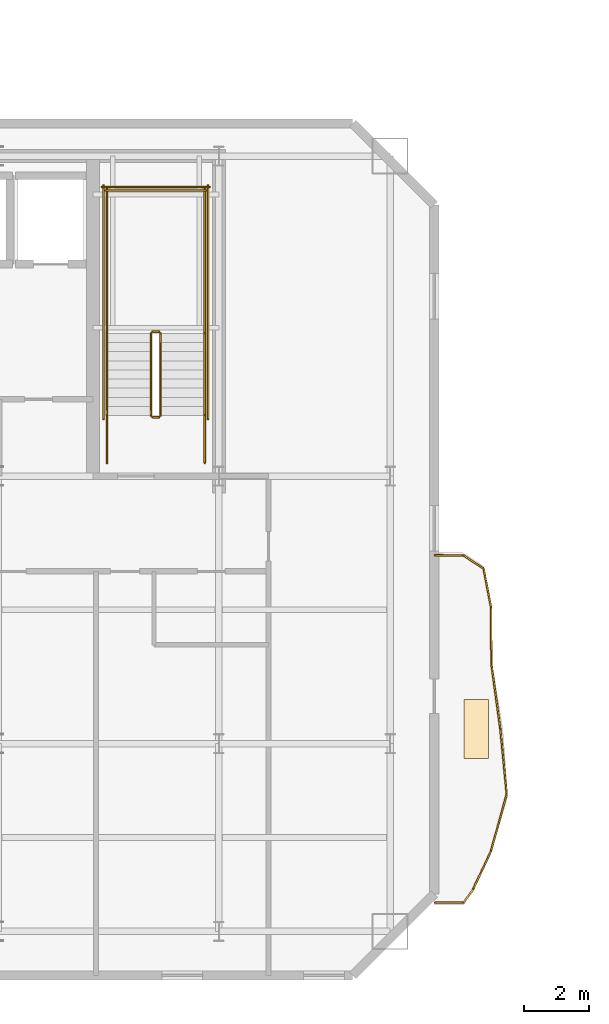
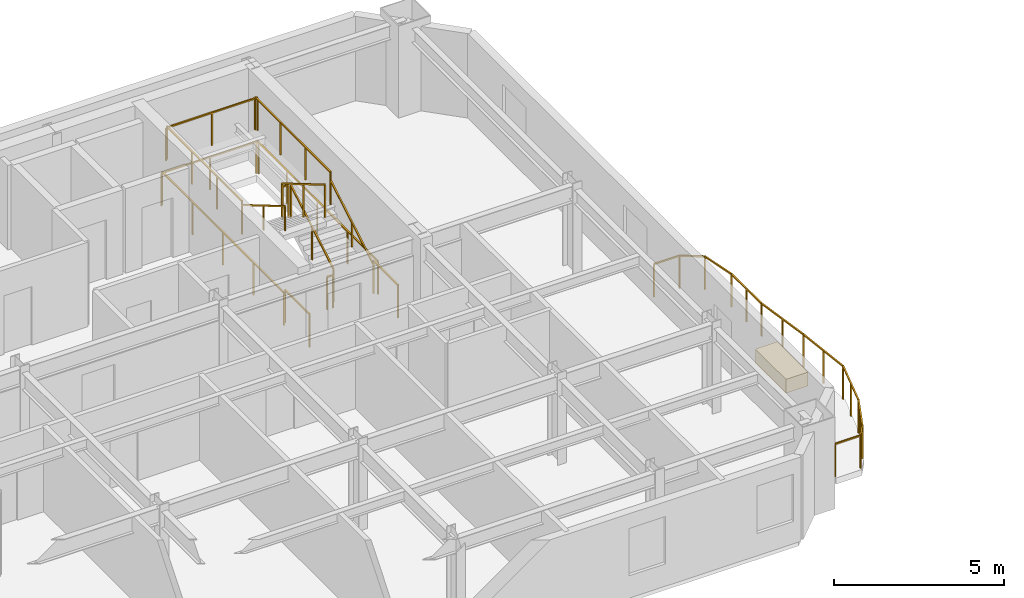
# One storey, part 12 of 14: 24 railings, 1 covering.
"""IFC4 building model written with IfcOpenShell, lengths in metres."""

from ifc_helpers import new_model, si_unit, direction, frame, origin, origin_2d, place, context, subcontext, project, spatial, rectangle, extrude, material, layer, layer_set, type_object, element, save


model = new_model("IFC4")

# Units and contexts
model_context = context("Model", 3, precision=1e-05, world=origin(), true_north=direction((0.0, 1.0)))
body_context = subcontext(model_context, "Body", "Model", "MODEL_VIEW")
ifc_project = project(units=[si_unit("LENGTHUNIT", "METRE"), si_unit("AREAUNIT", "SQUARE_METRE"), si_unit("VOLUMEUNIT", "CUBIC_METRE"), si_unit("PLANEANGLEUNIT", "RADIAN"), si_unit("MASSUNIT", "GRAM", prefix="KILO")], contexts=[model_context])

# Site, building, storey
site_placement = place(None, origin())
site = spatial("IfcSite", under=ifc_project, at=site_placement, CompositionType="ELEMENT")
building_placement = place(site_placement, origin())
building = spatial("IfcBuilding", under=site, at=building_placement, Name="Haevon Station Towers", CompositionType="ELEMENT")
storey_placement = place(building_placement, frame((0.0, 0.0, 231.89990234375)))
storey = spatial("IfcBuildingStorey", under=building, at=storey_placement, Name="L64", CompositionType="ELEMENT", Elevation=231.89990234375)

# Railings
ifc_material_1 = material(Name="Steel S355", Category="steel")
railing_type_1 = type_object("IfcRailingType", Name="GRD-EXT1200", PredefinedType="GUARDRAIL", material=ifc_material_1)
railing_1_placement = place(storey_placement, frame((57.62353515625, 25.1279296875, 0.0)))
element("IfcRailing", 1, at=railing_1_placement, inside=storey, type_object=railing_type_1, Name="L64 Perimeter Guardrail 1", PredefinedType="GUARDRAIL", context=body_context, shape_type="SweptSolid", body=[
    extrude(rectangle(XDim=0.048095703125, YDim=0.048095703125, at=origin_2d()), frame((0.0, 0.0, 1.17578125), z_axis=(0.999997476494, 0.002246554286, 0.0), x_axis=(-0.002246554286, 0.999997476494, 0.0)), (0.0, 0.0, 1.0), 0.869384765625),
    extrude(rectangle(XDim=0.0419921875, YDim=0.0419921875, at=origin_2d()), origin(), (0.0, 0.0, 1.0), 1.15185546875),
    extrude(rectangle(XDim=0.0419921875, YDim=0.0419921875, at=origin_2d()), frame((0.869384765625, 0.001953125, 0.0)), (0.0, 0.0, 1.0), 1.15185546875),
])
railing_2_placement = place(storey_placement, frame((58.492919921875, 25.1298828125, 0.0)))
element("IfcRailing", 2, at=railing_2_placement, inside=storey, type_object=railing_type_1, Name="L64 Perimeter Guardrail 2", PredefinedType="GUARDRAIL", context=body_context, shape_type="SweptSolid", body=[
    extrude(rectangle(XDim=0.048095703125, YDim=0.048095703125, at=origin_2d()), frame((0.0, 0.0, 1.17578125), z_axis=(0.587943185417, 0.808902225688, 0.0), x_axis=(-0.808902225688, 0.587943185417, 0.0)), (0.0, 0.0, 1.0), 0.50830078125),
    extrude(rectangle(XDim=0.0419921875, YDim=0.0419921875, at=origin_2d()), origin(), (0.0, 0.0, 1.0), 1.15185546875),
    extrude(rectangle(XDim=0.0419921875, YDim=0.0419921875, at=origin_2d()), frame((0.298828125, 0.4111328125, 0.0)), (0.0, 0.0, 1.0), 1.15185546875),
])
railing_3_placement = place(storey_placement, frame((58.791748046875, 25.541015625, 0.0)))
element("IfcRailing", 3, at=railing_3_placement, inside=storey, type_object=railing_type_1, Name="L64 Perimeter Guardrail 3", PredefinedType="GUARDRAIL", context=body_context, shape_type="SweptSolid", body=[
    extrude(rectangle(XDim=0.048095703125, YDim=0.048095703125, at=origin_2d()), frame((0.0, 0.0, 1.17578125), z_axis=(0.423464938521, 0.90591249348, 0.0), x_axis=(-0.90591249348, 0.423464938521, 0.0)), (0.0, 0.0, 1.0), 1.29150390625),
    extrude(rectangle(XDim=0.0419921875, YDim=0.0419921875, at=origin_2d()), origin(), (0.0, 0.0, 1.0), 1.15185546875),
    extrude(rectangle(XDim=0.0419921875, YDim=0.0419921875, at=origin_2d()), frame((0.2734375, 0.5849609375, 0.0)), (0.0, 0.0, 1.0), 1.15185546875),
    extrude(rectangle(XDim=0.0419921875, YDim=0.0419921875, at=origin_2d()), frame((0.546875, 1.169921875, 0.0)), (0.0, 0.0, 1.0), 1.15185546875),
])
railing_4_placement = place(storey_placement, frame((59.338623046875, 26.7109375, 0.0)))
element("IfcRailing", 4, at=railing_4_placement, inside=storey, type_object=railing_type_1, Name="L64 Perimeter Guardrail 4", PredefinedType="GUARDRAIL", context=body_context, shape_type="SweptSolid", body=[
    extrude(rectangle(XDim=0.048095703125, YDim=0.048095703125, at=origin_2d()), frame((0.0, 0.0, 1.17578125), z_axis=(0.266356811872, 0.963874498454, 0.0), x_axis=(-0.963874498454, 0.266356811872, 0.0)), (0.0, 0.0, 1.0), 1.810302734375),
    extrude(rectangle(XDim=0.0419921875, YDim=0.0419921875, at=origin_2d()), origin(), (0.0, 0.0, 1.0), 1.15185546875),
    extrude(rectangle(XDim=0.0419921875, YDim=0.0419921875, at=origin_2d()), frame((0.2412109375, 0.87255859375, 0.0)), (0.0, 0.0, 1.0), 1.15185546875),
    extrude(rectangle(XDim=0.0419921875, YDim=0.0419921875, at=origin_2d()), frame((0.482177734375, 1.744873046875, 0.0)), (0.0, 0.0, 1.0), 1.15185546875),
])
railing_5_placement = place(storey_placement, frame((59.82080078125, 28.455810546875, 0.0)))
element("IfcRailing", 5, at=railing_5_placement, inside=storey, type_object=railing_type_1, Name="L64 Perimeter Guardrail 5", PredefinedType="GUARDRAIL", context=body_context, shape_type="SweptSolid", body=[
    extrude(rectangle(XDim=0.048095703125, YDim=0.048095703125, at=origin_2d()), frame((0.0, 0.0, 1.17578125), z_axis=(-0.097718135752, 0.9952141307, 0.0), x_axis=(-0.9952141307, -0.097718135752, 0.0)), (0.0, 0.0, 1.0), 2.003662109375),
    extrude(rectangle(XDim=0.0419921875, YDim=0.0419921875, at=origin_2d()), origin(), (0.0, 0.0, 1.0), 1.15185546875),
    extrude(rectangle(XDim=0.0419921875, YDim=0.0419921875, at=origin_2d()), frame((-0.097900390625, 0.9970703125, 0.0)), (0.0, 0.0, 1.0), 1.15185546875),
    extrude(rectangle(XDim=0.0419921875, YDim=0.0419921875, at=origin_2d()), frame((-0.19580078125, 1.994140625, 0.0)), (0.0, 0.0, 1.0), 1.15185546875),
])
railing_6_placement = place(storey_placement, frame((59.625, 30.449951171875, 0.0)))
element("IfcRailing", 6, at=railing_6_placement, inside=storey, type_object=railing_type_1, Name="L64 Perimeter Guardrail 6", PredefinedType="GUARDRAIL", context=body_context, shape_type="SweptSolid", body=[
    extrude(rectangle(XDim=0.048095703125, YDim=0.048095703125, at=origin_2d()), frame((0.0, 0.0, 1.17578125), z_axis=(-0.136328744782, 0.990663652985, 0.0), x_axis=(-0.990663652985, -0.136328744782, 0.0)), (0.0, 0.0, 1.0), 2.007568359375),
    extrude(rectangle(XDim=0.0419921875, YDim=0.0419921875, at=origin_2d()), origin(), (0.0, 0.0, 1.0), 1.15185546875),
    extrude(rectangle(XDim=0.0419921875, YDim=0.0419921875, at=origin_2d()), frame((-0.13671875, 0.994384765625, 0.0)), (0.0, 0.0, 1.0), 1.15185546875),
    extrude(rectangle(XDim=0.0419921875, YDim=0.0419921875, at=origin_2d()), frame((-0.273681640625, 1.98876953125, 0.0)), (0.0, 0.0, 1.0), 1.15185546875),
])
railing_7_placement = place(storey_placement, frame((59.351318359375, 32.438720703125, 0.0)))
element("IfcRailing", 7, at=railing_7_placement, inside=storey, type_object=railing_type_1, Name="L64 Perimeter Guardrail 7", PredefinedType="GUARDRAIL", context=body_context, shape_type="SweptSolid", body=[
    extrude(rectangle(XDim=0.048095703125, YDim=0.048095703125, at=origin_2d()), frame((0.0, 0.0, 1.17578125), z_axis=(-0.00725326156, 0.999973694752, 0.0), x_axis=(-0.999973694752, -0.00725326156, 0.0)), (0.0, 0.0, 1.0), 1.750244140625),
    extrude(rectangle(XDim=0.0419921875, YDim=0.0419921875, at=origin_2d()), origin(), (0.0, 0.0, 1.0), 1.15185546875),
    extrude(rectangle(XDim=0.0419921875, YDim=0.0419921875, at=origin_2d()), frame((-0.00634765625, 0.875, 0.0)), (0.0, 0.0, 1.0), 1.15185546875),
    extrude(rectangle(XDim=0.0419921875, YDim=0.0419921875, at=origin_2d()), frame((-0.0126953125, 1.750244140625, 0.0)), (0.0, 0.0, 1.0), 1.15185546875),
])
railing_8_placement = place(storey_placement, frame((59.338623046875, 34.18896484375, 0.0)))
element("IfcRailing", 8, at=railing_8_placement, inside=storey, type_object=railing_type_1, Name="L64 Perimeter Guardrail 8", PredefinedType="GUARDRAIL", context=body_context, shape_type="SweptSolid", body=[
    extrude(rectangle(XDim=0.048095703125, YDim=0.048095703125, at=origin_2d()), frame((0.0, 0.0, 1.17578125), z_axis=(-0.18988815167, 0.981805729182, 0.0), x_axis=(-0.981805729182, -0.18988815167, 0.0)), (0.0, 0.0, 1.0), 1.19189453125),
    extrude(rectangle(XDim=0.0419921875, YDim=0.0419921875, at=origin_2d()), origin(), (0.0, 0.0, 1.0), 1.15185546875),
    extrude(rectangle(XDim=0.0419921875, YDim=0.0419921875, at=origin_2d()), frame((-0.226318359375, 1.170166015625, 0.0)), (0.0, 0.0, 1.0), 1.15185546875),
])
railing_9_placement = place(storey_placement, frame((59.1123046875, 35.359130859375, 0.0)))
element("IfcRailing", 9, at=railing_9_placement, inside=storey, type_object=railing_type_1, Name="L64 Perimeter Guardrail 9", PredefinedType="GUARDRAIL", context=body_context, shape_type="SweptSolid", body=[
    extrude(rectangle(XDim=0.048095703125, YDim=0.048095703125, at=origin_2d()), frame((0.0, 0.0, 1.17578125), z_axis=(-0.833160144028, 0.553031802343, 0.0), x_axis=(-0.553031802343, -0.833160144028, 0.0)), (0.0, 0.0, 1.0), 0.743408203125),
    extrude(rectangle(XDim=0.0419921875, YDim=0.0419921875, at=origin_2d()), origin(), (0.0, 0.0, 1.0), 1.15185546875),
    extrude(rectangle(XDim=0.0419921875, YDim=0.0419921875, at=origin_2d()), frame((-0.619384765625, 0.4111328125, 0.0)), (0.0, 0.0, 1.0), 1.15185546875),
])
railing_10_placement = place(storey_placement, frame((58.492919921875, 35.770263671875, 0.0)))
element("IfcRailing", 10, at=railing_10_placement, inside=storey, type_object=railing_type_1, Name="L64 Perimeter Guardrail 10", PredefinedType="GUARDRAIL", context=body_context, shape_type="SweptSolid", body=[
    extrude(rectangle(XDim=0.048095703125, YDim=0.048095703125, at=origin_2d()), frame((0.0, 0.0, 1.17578125), z_axis=(-0.999997476494, 0.002246554286, 0.0), x_axis=(-0.002246554286, -0.999997476494, 0.0)), (0.0, 0.0, 1.0), 0.869384765625),
    extrude(rectangle(XDim=0.0419921875, YDim=0.0419921875, at=origin_2d()), origin(), (0.0, 0.0, 1.0), 1.15185546875),
    extrude(rectangle(XDim=0.0419921875, YDim=0.0419921875, at=origin_2d()), frame((-0.869384765625, 0.001953125, 0.0)), (0.0, 0.0, 1.0), 1.15185546875),
])
railing_type_2 = type_object("IfcRailingType", Name="GRD-STR1200", PredefinedType="GUARDRAIL", material=ifc_material_1)
railing_11_placement = place(storey_placement, frame((49.219970703125, 40.050048828125, 0.1650390625)))
element("IfcRailing", 11, at=railing_11_placement, inside=storey, type_object=railing_type_2, Name="L64 ST2 Stair Guard 1", PredefinedType="GUARDRAIL", context=body_context, shape_type="SweptSolid", body=[
    extrude(rectangle(XDim=0.048095703125, YDim=0.048095703125, at=origin_2d()), frame((0.0, 0.0, 1.17578125), z_axis=(0.0, 0.86152411907, 0.507716645641), x_axis=(-1.0, 0.0, 0.0)), (0.0, 0.0, 1.0), 2.925048828125),
    extrude(rectangle(XDim=0.0419921875, YDim=0.0419921875, at=origin_2d()), origin(), (0.0, 0.0, 1.0), 1.15185546875),
    extrude(rectangle(XDim=0.0419921875, YDim=0.0419921875, at=origin_2d()), frame((0.0, 1.260009765625, 0.74267578125)), (0.0, 0.0, 1.0), 1.15185546875),
    extrude(rectangle(XDim=0.0419921875, YDim=0.0419921875, at=origin_2d()), frame((0.0, 2.52001953125, 1.485107421875)), (0.0, 0.0, 1.0), 1.15185546875),
])
railing_12_placement = place(storey_placement, frame((49.169921875, 42.6201171875, 1.650146484375)))
element("IfcRailing", 12, at=railing_12_placement, inside=storey, type_object=railing_type_2, Name="L64 ST2 Stair Guard 2", PredefinedType="GUARDRAIL", context=body_context, shape_type="SweptSolid", body=[
    extrude(rectangle(XDim=0.048095703125, YDim=0.048095703125, at=origin_2d()), frame((0.0, 0.0, 1.17578125), z_axis=(-1.0, 0.0, 0.0), x_axis=(0.0, -1.0, 0.0)), (0.0, 0.0, 1.0), 0.199951171875),
    extrude(rectangle(XDim=0.0419921875, YDim=0.0419921875, at=origin_2d()), origin(), (0.0, 0.0, 1.0), 1.15185546875),
    extrude(rectangle(XDim=0.0419921875, YDim=0.0419921875, at=origin_2d()), frame((-0.199951171875, 0.0, 0.0)), (0.0, 0.0, 1.0), 1.15185546875),
])
for number, where, name in (
    (13, (50.570068359375, 42.570068359375, 1.650146484375), "L64 ST2 Stair Guard 3"),
    (14, (47.570068359375, 42.570068359375, 1.650146484375), "L64 ST2 Stair Guard 4"),
):
    element("IfcRailing", number, at=place(storey_placement, frame(where)), inside=storey, type_object=railing_type_2, Name=name, PredefinedType="GUARDRAIL", context=body_context, shape_type="SweptSolid", body=[
        extrude(rectangle(XDim=0.048095703125, YDim=0.048095703125, at=origin_2d()), frame((0.0, 0.0, 1.17578125), z_axis=(0.0, 1.0, 0.0), x_axis=(-1.0, 0.0, 0.0)), (0.0, 0.0, 1.0), 4.429931640625),
        extrude(rectangle(XDim=0.0419921875, YDim=0.0419921875, at=origin_2d()), origin(), (0.0, 0.0, 1.0), 1.15185546875),
        extrude(rectangle(XDim=0.0419921875, YDim=0.0419921875, at=origin_2d()), frame((0.0, 1.4765625, 0.0)), (0.0, 0.0, 1.0), 1.15185546875),
        extrude(rectangle(XDim=0.0419921875, YDim=0.0419921875, at=origin_2d()), frame((0.0, 2.953369140625, 0.0)), (0.0, 0.0, 1.0), 1.15185546875),
        extrude(rectangle(XDim=0.0419921875, YDim=0.0419921875, at=origin_2d()), frame((0.0, 4.429931640625, 0.0)), (0.0, 0.0, 1.0), 1.15185546875),
    ])
railing_13_placement = place(storey_placement, frame((50.6201171875, 46.949951171875, 1.650146484375)))
element("IfcRailing", 15, at=railing_13_placement, inside=storey, type_object=railing_type_2, Name="L64 ST2 Stair Guard 5", PredefinedType="GUARDRAIL", context=body_context, shape_type="SweptSolid", body=[
    extrude(rectangle(XDim=0.048095703125, YDim=0.048095703125, at=origin_2d()), frame((0.0, 0.0, 1.17578125), z_axis=(-1.0, 0.0, 0.0), x_axis=(0.0, -1.0, 0.0)), (0.0, 0.0, 1.0), 3.10009765625),
    extrude(rectangle(XDim=0.0419921875, YDim=0.0419921875, at=origin_2d()), origin(), (0.0, 0.0, 1.0), 1.15185546875),
    extrude(rectangle(XDim=0.0419921875, YDim=0.0419921875, at=origin_2d()), frame((-1.550048828125, 0.0, 0.0)), (0.0, 0.0, 1.0), 1.15185546875),
    extrude(rectangle(XDim=0.0419921875, YDim=0.0419921875, at=origin_2d()), frame((-3.10009765625, 0.0, 0.0)), (0.0, 0.0, 1.0), 1.15185546875),
])
railing_14_placement = place(storey_placement, frame((48.919921875, 42.570068359375, 1.815185546875)))
element("IfcRailing", 16, at=railing_14_placement, inside=storey, type_object=railing_type_2, Name="L64 ST2 Stair Guard 6", PredefinedType="GUARDRAIL", context=body_context, shape_type="SweptSolid", body=[
    extrude(rectangle(XDim=0.048095703125, YDim=0.048095703125, at=origin_2d()), frame((0.0, 0.0, 1.17578125), z_axis=(0.0, -0.861560626758, 0.507654692109), x_axis=(1.0, 0.0, 0.0)), (0.0, 0.0, 1.0), 2.925048828125),
    extrude(rectangle(XDim=0.0419921875, YDim=0.0419921875, at=origin_2d()), origin(), (0.0, 0.0, 1.0), 1.15185546875),
    extrude(rectangle(XDim=0.0419921875, YDim=0.0419921875, at=origin_2d()), frame((0.0, -1.260009765625, 0.742431640625)), (0.0, 0.0, 1.0), 1.15185546875),
    extrude(rectangle(XDim=0.0419921875, YDim=0.0419921875, at=origin_2d()), frame((0.0, -2.52001953125, 1.48486328125)), (0.0, 0.0, 1.0), 1.15185546875),
])
railing_15_placement = place(storey_placement, frame((49.169921875, 40.0, 0.0)))
element("IfcRailing", 17, at=railing_15_placement, inside=storey, type_object=railing_type_2, Name="L64 ST2 Stair Guard 7", PredefinedType="GUARDRAIL", context=body_context, shape_type="SweptSolid", body=[
    extrude(rectangle(XDim=0.048095703125, YDim=0.048095703125, at=origin_2d()), frame((0.0, 0.0, 1.17578125), z_axis=(-1.0, 0.0, 0.0), x_axis=(0.0, -1.0, 0.0)), (0.0, 0.0, 1.0), 0.199951171875),
    extrude(rectangle(XDim=0.0419921875, YDim=0.0419921875, at=origin_2d()), origin(), (0.0, 0.0, 1.0), 1.15185546875),
    extrude(rectangle(XDim=0.0419921875, YDim=0.0419921875, at=origin_2d()), frame((-0.199951171875, 0.0, 0.0)), (0.0, 0.0, 1.0), 1.15185546875),
])
for number, where, name in (
    (18, (50.570068359375, 38.60009765625, 0.0), "L64 ST2 Stair Guard 8"),
    (19, (47.570068359375, 38.60009765625, 0.0), "L64 ST2 Stair Guard 9"),
):
    element("IfcRailing", number, at=place(storey_placement, frame(where)), inside=storey, type_object=railing_type_2, Name=name, PredefinedType="GUARDRAIL", context=body_context, shape_type="SweptSolid", body=[
        extrude(rectangle(XDim=0.048095703125, YDim=0.048095703125, at=origin_2d()), frame((0.0, 0.0, 1.17578125), z_axis=(0.0, 1.0, 0.0), x_axis=(-1.0, 0.0, 0.0)), (0.0, 0.0, 1.0), 1.449951171875),
        extrude(rectangle(XDim=0.0419921875, YDim=0.0419921875, at=origin_2d()), origin(), (0.0, 0.0, 1.0), 1.15185546875),
        extrude(rectangle(XDim=0.0419921875, YDim=0.0419921875, at=origin_2d()), frame((0.0, 1.449951171875, 0.0)), (0.0, 0.0, 1.0), 1.15185546875),
    ])
for number, where, name in (
    (20, (50.669921875, 39.949951171875, 0.0), "L64 ST2 Stair Guard 10"),
    (21, (47.469970703125, 39.949951171875, 0.0), "L64 ST2 Stair Guard 11"),
):
    element("IfcRailing", number, at=place(storey_placement, frame(where)), inside=storey, type_object=railing_type_2, Name=name, PredefinedType="GUARDRAIL", context=body_context, shape_type="SweptSolid", body=[
        extrude(rectangle(XDim=0.048095703125, YDim=0.048095703125, at=origin_2d()), frame((0.0, 0.0, 1.17578125), z_axis=(0.0, 1.0, 0.0), x_axis=(-1.0, 0.0, 0.0)), (0.0, 0.0, 1.0), 7.150146484375),
        extrude(rectangle(XDim=0.0419921875, YDim=0.0419921875, at=origin_2d()), origin(), (0.0, 0.0, 1.0), 1.15185546875),
        extrude(rectangle(XDim=0.0419921875, YDim=0.0419921875, at=origin_2d()), frame((0.0, 1.78759765625, 0.0)), (0.0, 0.0, 1.0), 1.15185546875),
        extrude(rectangle(XDim=0.0419921875, YDim=0.0419921875, at=origin_2d()), frame((0.0, 3.5751953125, 0.0)), (0.0, 0.0, 1.0), 1.15185546875),
        extrude(rectangle(XDim=0.0419921875, YDim=0.0419921875, at=origin_2d()), frame((0.0, 5.362548828125, 0.0)), (0.0, 0.0, 1.0), 1.15185546875),
        extrude(rectangle(XDim=0.0419921875, YDim=0.0419921875, at=origin_2d()), frame((0.0, 7.150146484375, 0.0)), (0.0, 0.0, 1.0), 1.15185546875),
    ])
railing_16_placement = place(storey_placement, frame((50.719970703125, 47.050048828125, 0.0)))
element("IfcRailing", 22, at=railing_16_placement, inside=storey, type_object=railing_type_2, Name="L64 ST2 Stair Guard 12", PredefinedType="GUARDRAIL", context=body_context, shape_type="SweptSolid", body=[
    extrude(rectangle(XDim=0.048095703125, YDim=0.048095703125, at=origin_2d()), frame((0.0, 0.0, 1.17578125), z_axis=(-1.0, 0.0, 0.0), x_axis=(0.0, -1.0, 0.0)), (0.0, 0.0, 1.0), 3.300048828125),
    extrude(rectangle(XDim=0.0419921875, YDim=0.0419921875, at=origin_2d()), origin(), (0.0, 0.0, 1.0), 1.15185546875),
    extrude(rectangle(XDim=0.0419921875, YDim=0.0419921875, at=origin_2d()), frame((-1.64990234375, 0.0, 0.0)), (0.0, 0.0, 1.0), 1.15185546875),
    extrude(rectangle(XDim=0.0419921875, YDim=0.0419921875, at=origin_2d()), frame((-3.300048828125, 0.0, 0.0)), (0.0, 0.0, 1.0), 1.15185546875),
])
railing_type_3 = type_object("IfcRailingType", Name="HND-STR900", PredefinedType="HANDRAIL", material=ifc_material_1)
railing_17_placement = place(storey_placement, frame((50.570068359375, 40.050048828125, 0.1650390625)))
element("IfcRailing", 23, at=railing_17_placement, inside=storey, type_object=railing_type_3, Name="L64 ST2 Stair Handrail 1", PredefinedType="HANDRAIL", context=body_context, shape_type="SweptSolid", body=[
    extrude(rectangle(XDim=0.048095703125, YDim=0.048095703125, at=origin_2d()), frame((0.0, 0.0, 0.8759765625), z_axis=(0.0, 0.86152411907, 0.507716645641), x_axis=(-1.0, 0.0, 0.0)), (0.0, 0.0, 1.0), 2.925048828125),
    extrude(rectangle(XDim=0.0419921875, YDim=0.0419921875, at=origin_2d()), origin(), (0.0, 0.0, 1.0), 0.851806640625),
    extrude(rectangle(XDim=0.0419921875, YDim=0.0419921875, at=origin_2d()), frame((0.0, 1.260009765625, 0.74267578125)), (0.0, 0.0, 1.0), 0.851806640625),
    extrude(rectangle(XDim=0.0419921875, YDim=0.0419921875, at=origin_2d()), frame((0.0, 2.52001953125, 1.485107421875)), (0.0, 0.0, 1.0), 0.851806640625),
])
railing_18_placement = place(storey_placement, frame((47.570068359375, 42.570068359375, 1.815185546875)))
element("IfcRailing", 24, at=railing_18_placement, inside=storey, type_object=railing_type_3, Name="L64 ST2 Stair Handrail 2", PredefinedType="HANDRAIL", context=body_context, shape_type="SweptSolid", body=[
    extrude(rectangle(XDim=0.048095703125, YDim=0.048095703125, at=origin_2d()), frame((0.0, 0.0, 0.8759765625), z_axis=(0.0, -0.861560626758, 0.507654692109), x_axis=(1.0, 0.0, 0.0)), (0.0, 0.0, 1.0), 2.925048828125),
    extrude(rectangle(XDim=0.0419921875, YDim=0.0419921875, at=origin_2d()), origin(), (0.0, 0.0, 1.0), 0.851806640625),
    extrude(rectangle(XDim=0.0419921875, YDim=0.0419921875, at=origin_2d()), frame((0.0, -1.260009765625, 0.742431640625)), (0.0, 0.0, 1.0), 0.851806640625),
    extrude(rectangle(XDim=0.0419921875, YDim=0.0419921875, at=origin_2d()), frame((0.0, -2.52001953125, 1.48486328125)), (0.0, 0.0, 1.0), 0.851806640625),
])

# Covering
ifc_material_2 = material(Name="Architectural planter GRC", Category="concrete")
ifc_layer = layer(ifc_material_2, 0.550048828125)
ifc_layer_set = layer_set([ifc_layer], Name="Architectural planter GRC")
covering_type = type_object("IfcCoveringType", Name="PLN-GRC550", PredefinedType="MOLDING", material=ifc_layer_set)
covering_placement = place(storey_placement, frame((58.88330078125, 30.449951171875, 0.0), z_axis=(0.0, 0.0, 1.0), x_axis=(1.0, 0.0, 0.0)))
element("IfcCovering", 25, at=covering_placement, inside=storey, type_object=covering_type, Name="Tower 1 L64 Scalloped Balcony PLANTER", PredefinedType="MOLDING", context=body_context, shape_type="SweptSolid", body=[
    extrude(rectangle(XDim=0.75, YDim=1.800048828125, at=origin_2d()), origin(), (0.0, 0.0, 1.0), 0.5),
])

save(model, "model.ifc")
